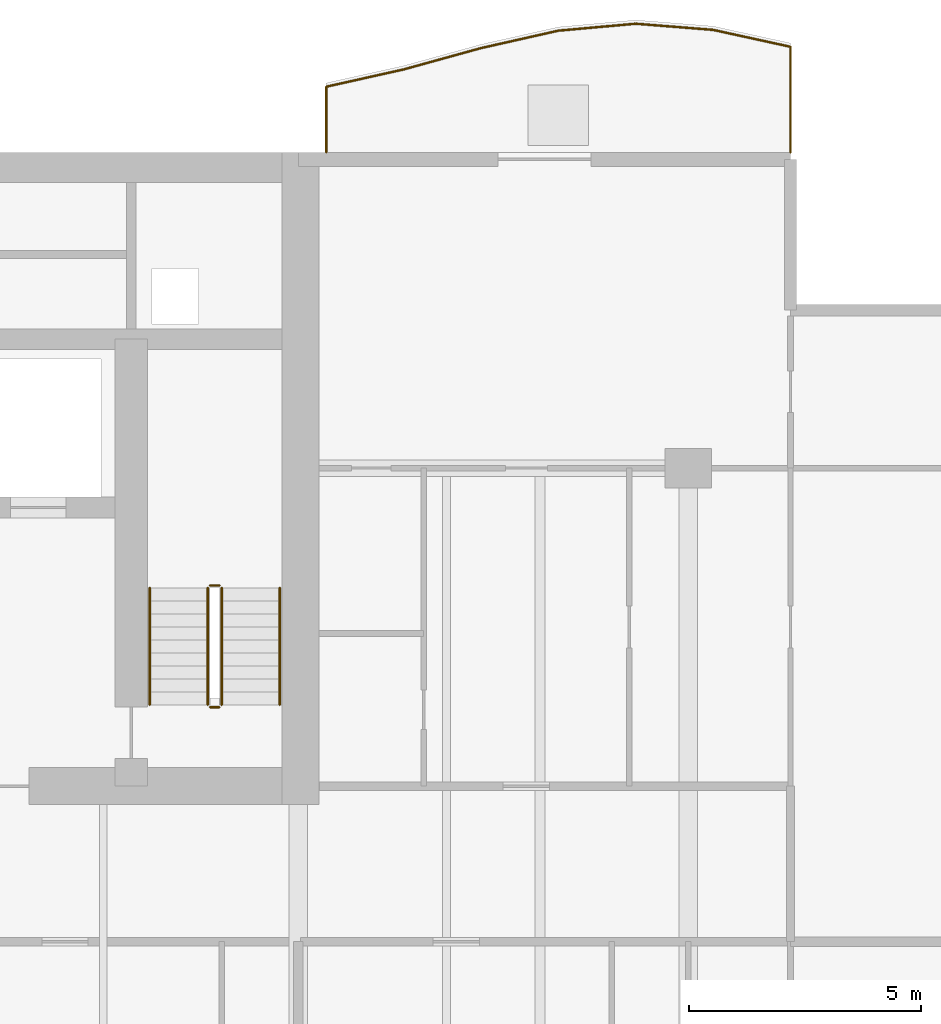
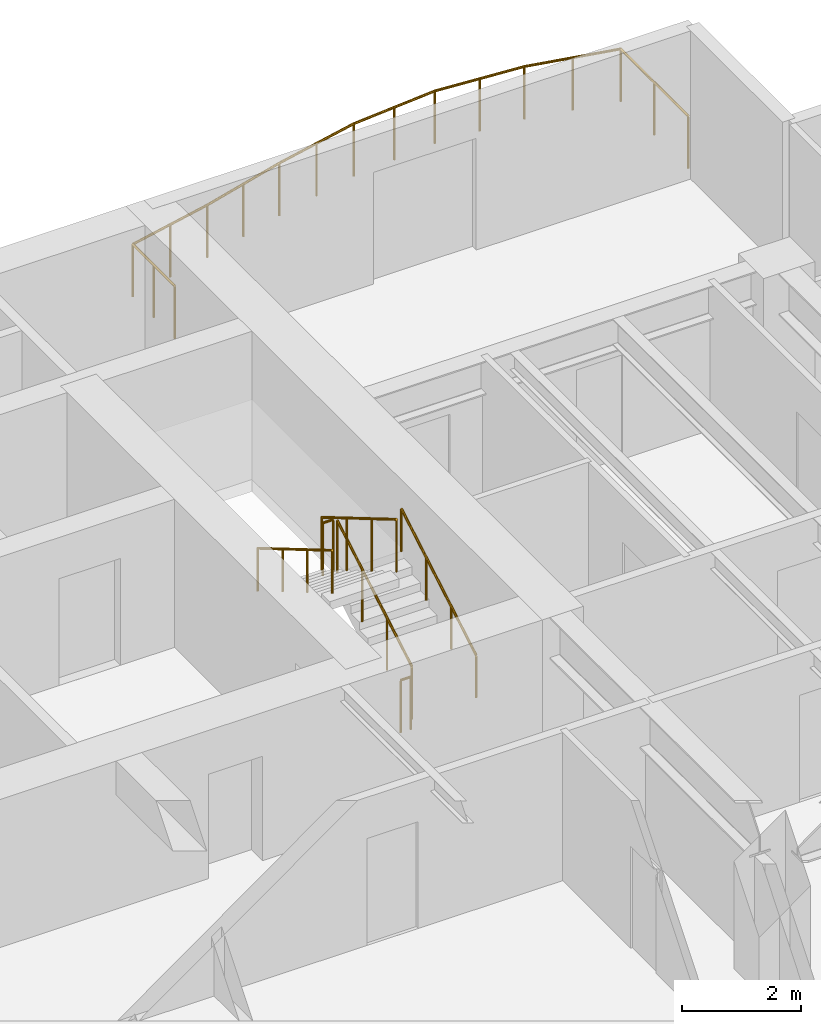
# One storey, part 18 of 19: 7 railings.
"""IFC4 building model written with IfcOpenShell, lengths in metres."""

import ifcopenshell
import ifcopenshell.guid

model = None  # the IFC model being written
_history = None  # IfcOwnerHistory: only IFC2X3 demands one
_inside = {}  # id of a spatial element -> (the spatial element, [elements in it])
_under = {}  # id of a project, library or spatial element -> (it, [spatial elements below it])
_declared = {}  # id of a project -> (the project, [libraries it declares])
_typed = {}  # id of a type object -> (the type object, [elements of that type])
_made_of = {}  # id of a material, layer set ... -> (it, [elements and type objects made of it])


def new_model(schema):
    """Start an empty IFC model of exactly this schema.

    Asked for "IFC4X3", IfcOpenShell would pick the latest addendum, in which some entities
    have other attributes; the version numbers below select the first issue.
    IFC2X3 requires an IfcOwnerHistory on every rooted entity: one is made here for all.
    """
    global model, _history
    if schema == "IFC4X3":
        model = ifcopenshell.file(schema_version=(4, 3, 0, 0))
    else:
        model = ifcopenshell.file(schema=schema)
    _inside.clear()
    _under.clear()
    _declared.clear()
    _typed.clear()
    _made_of.clear()
    _history = None
    if model.schema == "IFC2X3":
        org = make("IfcOrganization", Name="unknown")
        user = make(
            "IfcPersonAndOrganization",
            ThePerson=make("IfcPerson", FamilyName="unknown"),
            TheOrganization=org,
        )
        app = make(
            "IfcApplication",
            ApplicationDeveloper=org,
            Version="unknown",
            ApplicationFullName="unknown",
            ApplicationIdentifier="unknown",
        )
        _history = make(
            "IfcOwnerHistory",
            OwningUser=user,
            OwningApplication=app,
            ChangeAction="ADDED",
            CreationDate=0,
        )
    return model


def make(cls, **values):
    """One entity of the class cls with the attributes given. An attribute that is None is left unset."""
    return model.create_entity(
        cls, **{name: value for name, value in values.items() if value is not None}
    )


def rooted(cls, **values):
    """An entity with a GlobalId (a new one), such as an element, a storey or a relation."""
    return make(cls, GlobalId=ifcopenshell.guid.new(), OwnerHistory=_history, **values)


def si_unit(unit_type, name, prefix=None):
    """IfcSIUnit, for example si_unit("LENGTHUNIT", "METRE", prefix="MILLI")."""
    return make("IfcSIUnit", UnitType=unit_type, Prefix=prefix, Name=name)


def assignment(units):
    """IfcUnitAssignment: the units of a project."""
    return None if units is None else make("IfcUnitAssignment", Units=units)


def point(xyz):
    """IfcCartesianPoint."""
    return None if xyz is None else make("IfcCartesianPoint", Coordinates=xyz)


def direction(xyz):
    """IfcDirection."""
    return None if xyz is None else make("IfcDirection", DirectionRatios=xyz)


def frame(location, z_axis=None, x_axis=None):
    """IfcAxis2Placement3D, a coordinate frame: its origin and axes. An axis left out is left unset."""
    return make(
        "IfcAxis2Placement3D",
        Location=point(location),
        Axis=direction(z_axis),
        RefDirection=direction(x_axis),
    )


def frame_2d(location, x_axis=None):
    """IfcAxis2Placement2D, a coordinate frame in the plane: its origin and x axis."""
    return make(
        "IfcAxis2Placement2D", Location=point(location), RefDirection=direction(x_axis)
    )


def origin():
    """The frame at (0, 0, 0) with its axes left unset."""
    return frame((0.0, 0.0, 0.0))


def origin_2d():
    """The frame at (0, 0) in the plane with its x axis left unset."""
    return frame_2d((0.0, 0.0))


def place(relative_to, where):
    """IfcLocalPlacement: puts the frame where relative to a parent placement (None: the world)."""
    return make(
        "IfcLocalPlacement", PlacementRelTo=relative_to, RelativePlacement=where
    )


def context(
    kind, dimensions, precision=None, world=None, true_north=None, identifier=None
):
    """IfcGeometricRepresentationContext, for example the 3D "Model" context."""
    return make(
        "IfcGeometricRepresentationContext",
        ContextIdentifier=identifier,
        ContextType=kind,
        CoordinateSpaceDimension=dimensions,
        Precision=precision,
        WorldCoordinateSystem=world,
        TrueNorth=true_north,
    )


def subcontext(parent, identifier, kind, view, scale=None):
    """IfcGeometricRepresentationSubContext, for example "Body" below "Model"."""
    return make(
        "IfcGeometricRepresentationSubContext",
        ContextIdentifier=identifier,
        ContextType=kind,
        ParentContext=parent,
        TargetScale=scale,
        TargetView=view,
    )


def project(units=None, contexts=None):
    """IfcProject with its units and contexts."""
    return rooted(
        "IfcProject",
        Name="project",
        RepresentationContexts=contexts,
        UnitsInContext=assignment(units),
    )


def spatial(cls, under=None, at=None, **own):
    """A site, building, storey or space (cls), placed at a placement, below another one or the project."""
    s = rooted(cls, ObjectPlacement=at, **own)
    if under is not None:
        _under.setdefault(under.id(), (under, []))[1].append(s)
    return s


def profile(cls, at=None, kind="AREA", **sizes):
    """A parametric profile (cls). Its sizes go by their IFC names, for example OverallWidth=200.0."""
    return make(cls, ProfileType=kind, Position=at, **sizes)


def circle(**sizes):
    """IfcCircleProfileDef."""
    return profile("IfcCircleProfileDef", **sizes)


def extrude(swept, where, along, depth):
    """IfcExtrudedAreaSolid: the profile swept, set in the frame where, extruded along a direction by depth."""
    return make(
        "IfcExtrudedAreaSolid",
        SweptArea=swept,
        Position=where,
        ExtrudedDirection=direction(along),
        Depth=depth,
    )


def shape(context_of_items, identifier, shape_type, items):
    """IfcShapeRepresentation: the items that make up one representation, for example the "Body"."""
    return make(
        "IfcShapeRepresentation",
        ContextOfItems=context_of_items,
        RepresentationIdentifier=identifier,
        RepresentationType=shape_type,
        Items=items,
    )


def material(Name=None, Category=None):
    """IfcMaterial."""
    return make("IfcMaterial", Name=Name, Category=Category)


def made_of(thing, what):
    """Note that an element or type object is made of a material, layer set ...; save() writes the relation."""
    if what is not None:
        _made_of.setdefault(what.id(), (what, []))[1].append(thing)
    return thing


def type_object(cls, material=None, **own):
    """A type object (cls), such as IfcWallType, which elements share."""
    return made_of(rooted(cls, **own), material)


def element(
    cls,
    number,
    at=None,
    inside=None,
    cuts=None,
    type_object=None,
    material=None,
    context=None,
    identifier="Body",
    shape_type=None,
    held_by="IfcProductDefinitionShape",
    body=None,
    shapes=None,
    **own,
):
    """One element of the class cls, such as IfcWall. Its Tag is "e" and its number.

    at: its placement. inside: the storey or other place that contains it. cuts: it is an
    opening in that element (IfcRelVoidsElement). A single representation is given by context,
    identifier, shape_type and body (its items); several are given by shapes. held_by: the class
    of the entity that holds the representations. save() writes the other relations.
    """
    e = rooted(cls, Tag="e%d" % number, ObjectPlacement=at, **own)
    if body is not None:
        shapes = [shape(context, identifier, shape_type, body)]
    if shapes is not None:
        e.Representation = make(held_by, Representations=shapes)
    if inside is not None:
        _inside.setdefault(inside.id(), (inside, []))[1].append(e)
    if cuts is not None:
        rooted(
            "IfcRelVoidsElement", RelatingBuildingElement=cuts, RelatedOpeningElement=e
        )
    if type_object is not None:
        _typed.setdefault(type_object.id(), (type_object, []))[1].append(e)
    return made_of(e, material)


def aggregate(whole, parts):
    """IfcRelAggregates: a whole, such as a stair, and the parts it consists of."""
    return rooted("IfcRelAggregates", RelatingObject=whole, RelatedObjects=parts)


def save(model, path):
    """Write the relations noted so far, then the file.

    IfcRelAggregates (storeys below a building ...), IfcRelContainedInSpatialStructure (elements
    in a storey), IfcRelDefinesByType, IfcRelAssociatesMaterial and IfcRelDeclares: one each for
    every whole, place, type object, material and project.
    """
    for whole, parts in _under.values():
        aggregate(whole, parts)
    for where, things in _inside.values():
        rooted(
            "IfcRelContainedInSpatialStructure",
            RelatedElements=things,
            RelatingStructure=where,
        )
    for kind, things in _typed.values():
        rooted("IfcRelDefinesByType", RelatedObjects=things, RelatingType=kind)
    for what, things in _made_of.values():
        rooted("IfcRelAssociatesMaterial", RelatedObjects=things, RelatingMaterial=what)
    for by, libraries in _declared.values():
        rooted("IfcRelDeclares", RelatingContext=by, RelatedDefinitions=libraries)
    model.write(path)


model = new_model("IFC4")

# Units and contexts
model_context = context("Model", 3, precision=1e-05, world=origin(), true_north=direction((0.0, 1.0)))
body_context = subcontext(model_context, "Body", "Model", "MODEL_VIEW")
ifc_project = project(units=[si_unit("LENGTHUNIT", "METRE"), si_unit("AREAUNIT", "SQUARE_METRE"), si_unit("VOLUMEUNIT", "CUBIC_METRE"), si_unit("PLANEANGLEUNIT", "RADIAN"), si_unit("MASSUNIT", "GRAM", prefix="KILO")], contexts=[model_context])

# Site, building, storey
site_placement = place(None, origin())
site = spatial("IfcSite", under=ifc_project, at=site_placement, CompositionType="ELEMENT")
building_placement = place(site_placement, origin())
building = spatial("IfcBuilding", under=site, at=building_placement, Name="Caelmar Bay Residences", CompositionType="ELEMENT")
storey_placement = place(building_placement, frame((0.0, 0.0, 115.800048828125)))
storey = spatial("IfcBuildingStorey", under=building, at=storey_placement, Name="L31", CompositionType="ELEMENT", Elevation=115.800048828125)

# Railings
ifc_material_1 = material(Name="Anodised bronze handrail with laminated hurricane glass infill", Category="glass")
railing_type_1 = type_object("IfcRailingType", Name="RL-BAL-1100", PredefinedType="BALUSTRADE", material=ifc_material_1)
railing_1_placement = place(storey_placement, frame((70.10009765625, 50.60009765625, 0.0)))
element("IfcRailing", 1, at=railing_1_placement, inside=storey, type_object=railing_type_1, Name="L31 north_east Balcony Balustrade", PredefinedType="BALUSTRADE", context=body_context, shape_type="SweptSolid", body=[
    extrude(circle(Radius=0.02392578125, at=origin_2d()), frame((0.0, 0.0, 1.076171875), z_axis=(0.0, 1.0, 0.0), x_axis=(-1.0, 0.0, 0.0)), (0.0, 0.0, 1.0), 2.27294921875),
    extrude(circle(Radius=0.02392578125, at=origin_2d()), frame((0.0, 2.27294921875, 1.076171875), z_axis=(-0.976912151589, 0.213641400663, 0.0), x_axis=(-0.213641400663, -0.976912151589, 0.0)), (0.0, 0.0, 1.0), 1.7060546875),
    extrude(circle(Radius=0.02392578125, at=origin_2d()), frame((-1.666748046875, 2.637451171875, 1.076171875), z_axis=(-0.996863381494, 0.079141636556, 0.0), x_axis=(-0.079141636556, -0.996863381494, 0.0)), (0.0, 0.0, 1.0), 1.671875),
    extrude(circle(Radius=0.02392578125, at=origin_2d()), frame((-3.33349609375, 2.769775390625, 1.076171875), z_axis=(-0.995991875495, -0.089443747389, 0.0), x_axis=(0.089443747389, -0.995991875495, 0.0)), (0.0, 0.0, 1.0), 1.673095703125),
    extrude(circle(Radius=0.02392578125, at=origin_2d()), frame((-5.0, 2.6201171875, 1.076171875), z_axis=(-0.975520165928, -0.219909994926, 0.0), x_axis=(0.219909994926, -0.975520165928, 0.0)), (0.0, 0.0, 1.0), 1.70849609375),
    extrude(circle(Radius=0.02392578125, at=origin_2d()), frame((-6.666748046875, 2.244384765625, 1.076171875), z_axis=(-0.964003851304, -0.265888274792, 0.0), x_axis=(0.265888274792, -0.964003851304, 0.0)), (0.0, 0.0, 1.0), 1.72900390625),
    extrude(circle(Radius=0.02392578125, at=origin_2d()), frame((-8.33349609375, 1.78466796875, 1.076171875), z_axis=(-0.976032048917, -0.217626835402, 0.0), x_axis=(0.217626835402, -0.976032048917, 0.0)), (0.0, 0.0, 1.0), 1.70751953125),
    extrude(circle(Radius=0.02392578125, at=origin_2d()), frame((-10.0, 1.4130859375, 1.076171875), z_axis=(0.0, -1.0, 0.0), x_axis=(1.0, 0.0, 0.0)), (0.0, 0.0, 1.0), 1.4130859375),
    extrude(circle(Radius=0.02099609375, at=origin_2d()), origin(), (0.0, 0.0, 1.0), 1.052001953125),
    extrude(circle(Radius=0.02099609375, at=origin_2d()), frame((0.0, 1.136474609375, 0.0)), (0.0, 0.0, 1.0), 1.052001953125),
    extrude(circle(Radius=0.02099609375, at=origin_2d()), frame((0.0, 2.27294921875, 0.0)), (0.0, 0.0, 1.0), 1.052001953125),
    extrude(circle(Radius=0.02099609375, at=origin_2d()), frame((-0.83349609375, 2.455078125, 0.0)), (0.0, 0.0, 1.0), 1.052001953125),
    extrude(circle(Radius=0.02099609375, at=origin_2d()), frame((-1.666748046875, 2.637451171875, 0.0)), (0.0, 0.0, 1.0), 1.052001953125),
    extrude(circle(Radius=0.02099609375, at=origin_2d()), frame((-2.5, 2.70361328125, 0.0)), (0.0, 0.0, 1.0), 1.052001953125),
    extrude(circle(Radius=0.02099609375, at=origin_2d()), frame((-3.33349609375, 2.769775390625, 0.0)), (0.0, 0.0, 1.0), 1.052001953125),
    extrude(circle(Radius=0.02099609375, at=origin_2d()), frame((-4.166748046875, 2.69482421875, 0.0)), (0.0, 0.0, 1.0), 1.052001953125),
    extrude(circle(Radius=0.02099609375, at=origin_2d()), frame((-5.0, 2.6201171875, 0.0)), (0.0, 0.0, 1.0), 1.052001953125),
    extrude(circle(Radius=0.02099609375, at=origin_2d()), frame((-5.83349609375, 2.43212890625, 0.0)), (0.0, 0.0, 1.0), 1.052001953125),
    extrude(circle(Radius=0.02099609375, at=origin_2d()), frame((-6.666748046875, 2.244384765625, 0.0)), (0.0, 0.0, 1.0), 1.052001953125),
    extrude(circle(Radius=0.02099609375, at=origin_2d()), frame((-7.5, 2.0146484375, 0.0)), (0.0, 0.0, 1.0), 1.052001953125),
    extrude(circle(Radius=0.02099609375, at=origin_2d()), frame((-8.33349609375, 1.78466796875, 0.0)), (0.0, 0.0, 1.0), 1.052001953125),
    extrude(circle(Radius=0.02099609375, at=origin_2d()), frame((-9.166748046875, 1.598876953125, 0.0)), (0.0, 0.0, 1.0), 1.052001953125),
    extrude(circle(Radius=0.02099609375, at=origin_2d()), frame((-10.0, 1.4130859375, 0.0)), (0.0, 0.0, 1.0), 1.052001953125),
    extrude(circle(Radius=0.02099609375, at=origin_2d()), frame((-10.0, 0.70654296875, 0.0)), (0.0, 0.0, 1.0), 1.052001953125),
    extrude(circle(Radius=0.02099609375, at=origin_2d()), frame((-10.0, 0.0, 0.0)), (0.0, 0.0, 1.0), 1.052001953125),
])
ifc_material_2 = material(Name="Painted galvanized steel stair guard 1100 mm", Category="steel")
railing_type_2 = type_object("IfcRailingType", Name="RL-GRD-1100", PredefinedType="GUARDRAIL", material=ifc_material_2)
railing_2_placement = place(storey_placement, frame((57.85009765625, 38.699951171875, 0.1650390625)))
element("IfcRailing", 2, at=railing_2_placement, inside=storey, type_object=railing_type_2, Name="L31 ST2 stair guard 1", PredefinedType="GUARDRAIL", context=body_context, shape_type="SweptSolid", body=[
    extrude(circle(Radius=0.02392578125, at=origin_2d()), frame((0.0, 0.0, 1.076171875), z_axis=(0.0, 0.861560626758, 0.507654692109), x_axis=(-1.0, 0.0, 0.0)), (0.0, 0.0, 1.0), 2.925048828125),
    extrude(circle(Radius=0.02099609375, at=origin_2d()), origin(), (0.0, 0.0, 1.0), 1.052001953125),
    extrude(circle(Radius=0.02099609375, at=origin_2d()), frame((0.0, 0.840087890625, 0.494873046875)), (0.0, 0.0, 1.0), 1.052001953125),
    extrude(circle(Radius=0.02099609375, at=origin_2d()), frame((0.0, 1.679931640625, 0.989990234375)), (0.0, 0.0, 1.0), 1.052001953125),
    extrude(circle(Radius=0.02099609375, at=origin_2d()), frame((0.0, 2.52001953125, 1.48486328125)), (0.0, 0.0, 1.0), 1.052001953125),
])
railing_3_placement = place(storey_placement, frame((57.800048828125, 41.27001953125, 1.64990234375)))
element("IfcRailing", 3, at=railing_3_placement, inside=storey, type_object=railing_type_2, Name="L31 ST2 stair guard 2", PredefinedType="GUARDRAIL", context=body_context, shape_type="SweptSolid", body=[
    extrude(circle(Radius=0.02392578125, at=origin_2d()), frame((0.0, 0.0, 1.076171875), z_axis=(-1.0, 0.0, 0.0), x_axis=(0.0, -1.0, 0.0)), (0.0, 0.0, 1.0), 0.199951171875),
    extrude(circle(Radius=0.02099609375, at=origin_2d()), origin(), (0.0, 0.0, 1.0), 1.052001953125),
    extrude(circle(Radius=0.02099609375, at=origin_2d()), frame((-0.199951171875, 0.0, 0.0)), (0.0, 0.0, 1.0), 1.052001953125),
])
railing_4_placement = place(storey_placement, frame((57.550048828125, 41.219970703125, 1.81494140625)))
element("IfcRailing", 4, at=railing_4_placement, inside=storey, type_object=railing_type_2, Name="L31 ST2 stair guard 3", PredefinedType="GUARDRAIL", context=body_context, shape_type="SweptSolid", body=[
    extrude(circle(Radius=0.02392578125, at=origin_2d()), frame((0.0, 0.0, 1.076171875), z_axis=(0.0, -0.86152411907, 0.507716645641), x_axis=(1.0, 0.0, 0.0)), (0.0, 0.0, 1.0), 2.925048828125),
    extrude(circle(Radius=0.02099609375, at=origin_2d()), origin(), (0.0, 0.0, 1.0), 1.052001953125),
    extrude(circle(Radius=0.02099609375, at=origin_2d()), frame((0.0, -0.840087890625, 0.4951171875)), (0.0, 0.0, 1.0), 1.052001953125),
    extrude(circle(Radius=0.02099609375, at=origin_2d()), frame((0.0, -1.679931640625, 0.989990234375)), (0.0, 0.0, 1.0), 1.052001953125),
    extrude(circle(Radius=0.02099609375, at=origin_2d()), frame((0.0, -2.52001953125, 1.485107421875)), (0.0, 0.0, 1.0), 1.052001953125),
])
railing_5_placement = place(storey_placement, frame((57.800048828125, 38.64990234375, 0.0)))
element("IfcRailing", 5, at=railing_5_placement, inside=storey, type_object=railing_type_2, Name="L31 ST2 stair guard 4", PredefinedType="GUARDRAIL", context=body_context, shape_type="SweptSolid", body=[
    extrude(circle(Radius=0.02392578125, at=origin_2d()), frame((0.0, 0.0, 1.076171875), z_axis=(-1.0, 0.0, 0.0), x_axis=(0.0, -1.0, 0.0)), (0.0, 0.0, 1.0), 0.199951171875),
    extrude(circle(Radius=0.02099609375, at=origin_2d()), origin(), (0.0, 0.0, 1.0), 1.052001953125),
    extrude(circle(Radius=0.02099609375, at=origin_2d()), frame((-0.199951171875, 0.0, 0.0)), (0.0, 0.0, 1.0), 1.052001953125),
])
ifc_material_3 = material(Name="Brushed bronze stainless-steel tubular handrail 900 mm", Category="steel")
railing_type_3 = type_object("IfcRailingType", Name="RL-HND-900", PredefinedType="HANDRAIL", material=ifc_material_3)
railing_6_placement = place(storey_placement, frame((59.10009765625, 38.699951171875, 0.1650390625)))
element("IfcRailing", 6, at=railing_6_placement, inside=storey, type_object=railing_type_3, Name="L31 ST2 stair handrail 1", PredefinedType="HANDRAIL", context=body_context, shape_type="SweptSolid", body=[
    extrude(circle(Radius=0.02392578125, at=origin_2d()), frame((0.0, 0.0, 0.8759765625), z_axis=(0.0, 0.861560626758, 0.507654692109), x_axis=(-1.0, 0.0, 0.0)), (0.0, 0.0, 1.0), 2.925048828125),
    extrude(circle(Radius=0.02099609375, at=origin_2d()), origin(), (0.0, 0.0, 1.0), 0.851806640625),
    extrude(circle(Radius=0.02099609375, at=origin_2d()), frame((0.0, 0.840087890625, 0.494873046875)), (0.0, 0.0, 1.0), 0.851806640625),
    extrude(circle(Radius=0.02099609375, at=origin_2d()), frame((0.0, 1.679931640625, 0.989990234375)), (0.0, 0.0, 1.0), 0.851806640625),
    extrude(circle(Radius=0.02099609375, at=origin_2d()), frame((0.0, 2.52001953125, 1.48486328125)), (0.0, 0.0, 1.0), 0.851806640625),
])
railing_7_placement = place(storey_placement, frame((56.300048828125, 41.219970703125, 1.81494140625)))
element("IfcRailing", 7, at=railing_7_placement, inside=storey, type_object=railing_type_3, Name="L31 ST2 stair handrail 2", PredefinedType="HANDRAIL", context=body_context, shape_type="SweptSolid", body=[
    extrude(circle(Radius=0.02392578125, at=origin_2d()), frame((0.0, 0.0, 0.8759765625), z_axis=(0.0, -0.86152411907, 0.507716645641), x_axis=(1.0, 0.0, 0.0)), (0.0, 0.0, 1.0), 2.925048828125),
    extrude(circle(Radius=0.02099609375, at=origin_2d()), origin(), (0.0, 0.0, 1.0), 0.851806640625),
    extrude(circle(Radius=0.02099609375, at=origin_2d()), frame((0.0, -0.840087890625, 0.4951171875)), (0.0, 0.0, 1.0), 0.851806640625),
    extrude(circle(Radius=0.02099609375, at=origin_2d()), frame((0.0, -1.679931640625, 0.989990234375)), (0.0, 0.0, 1.0), 0.851806640625),
    extrude(circle(Radius=0.02099609375, at=origin_2d()), frame((0.0, -2.52001953125, 1.485107421875)), (0.0, 0.0, 1.0), 0.851806640625),
])

save(model, "model.ifc")
